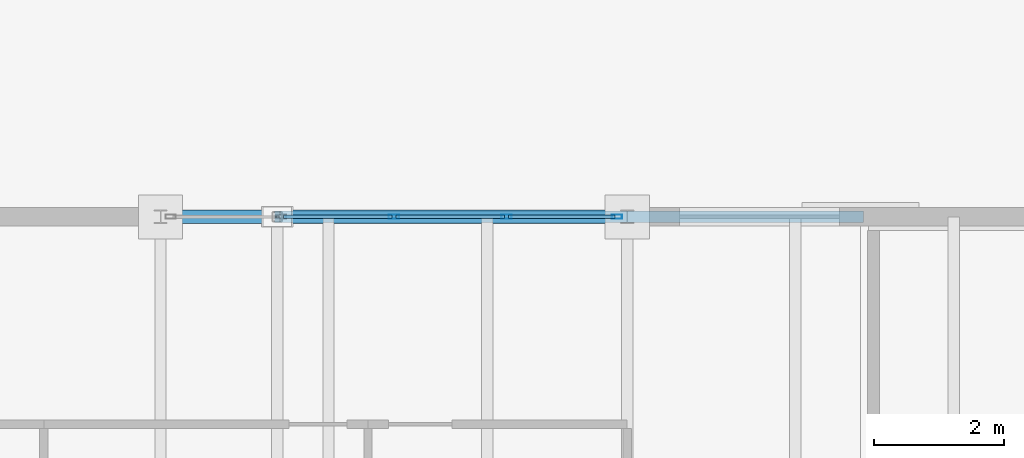
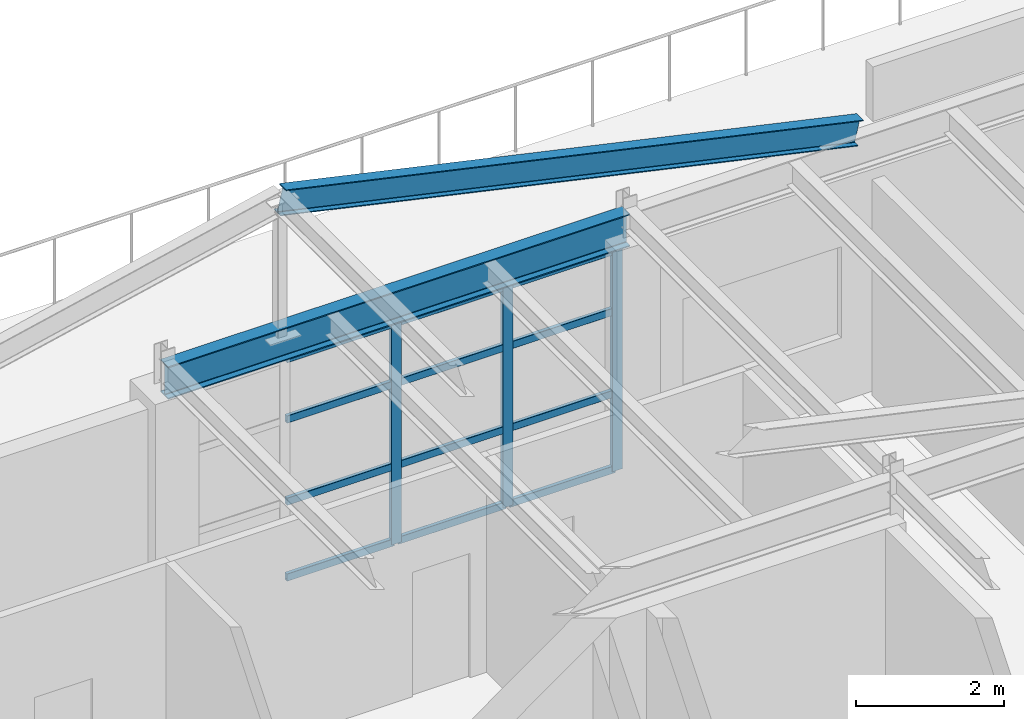
# One storey, part 31 of 43: 15 members, 2 beams, 1 element without a shape of its own.
"""IFC4 building model written with IfcOpenShell, lengths in metres."""

import ifcopenshell
import ifcopenshell.guid

model = None  # the IFC model being written
_history = None  # IfcOwnerHistory: only IFC2X3 demands one
_inside = {}  # id of a spatial element -> (the spatial element, [elements in it])
_under = {}  # id of a project, library or spatial element -> (it, [spatial elements below it])
_declared = {}  # id of a project -> (the project, [libraries it declares])
_typed = {}  # id of a type object -> (the type object, [elements of that type])
_made_of = {}  # id of a material, layer set ... -> (it, [elements and type objects made of it])


def new_model(schema):
    """Start an empty IFC model of exactly this schema.

    Asked for "IFC4X3", IfcOpenShell would pick the latest addendum, in which some entities
    have other attributes; the version numbers below select the first issue.
    IFC2X3 requires an IfcOwnerHistory on every rooted entity: one is made here for all.
    """
    global model, _history
    if schema == "IFC4X3":
        model = ifcopenshell.file(schema_version=(4, 3, 0, 0))
    else:
        model = ifcopenshell.file(schema=schema)
    _inside.clear()
    _under.clear()
    _declared.clear()
    _typed.clear()
    _made_of.clear()
    _history = None
    if model.schema == "IFC2X3":
        org = make("IfcOrganization", Name="unknown")
        user = make(
            "IfcPersonAndOrganization",
            ThePerson=make("IfcPerson", FamilyName="unknown"),
            TheOrganization=org,
        )
        app = make(
            "IfcApplication",
            ApplicationDeveloper=org,
            Version="unknown",
            ApplicationFullName="unknown",
            ApplicationIdentifier="unknown",
        )
        _history = make(
            "IfcOwnerHistory",
            OwningUser=user,
            OwningApplication=app,
            ChangeAction="ADDED",
            CreationDate=0,
        )
    return model


def make(cls, **values):
    """One entity of the class cls with the attributes given. An attribute that is None is left unset."""
    return model.create_entity(
        cls, **{name: value for name, value in values.items() if value is not None}
    )


def rooted(cls, **values):
    """An entity with a GlobalId (a new one), such as an element, a storey or a relation."""
    return make(cls, GlobalId=ifcopenshell.guid.new(), OwnerHistory=_history, **values)


def si_unit(unit_type, name, prefix=None):
    """IfcSIUnit, for example si_unit("LENGTHUNIT", "METRE", prefix="MILLI")."""
    return make("IfcSIUnit", UnitType=unit_type, Prefix=prefix, Name=name)


def assignment(units):
    """IfcUnitAssignment: the units of a project."""
    return None if units is None else make("IfcUnitAssignment", Units=units)


def point(xyz):
    """IfcCartesianPoint."""
    return None if xyz is None else make("IfcCartesianPoint", Coordinates=xyz)


def direction(xyz):
    """IfcDirection."""
    return None if xyz is None else make("IfcDirection", DirectionRatios=xyz)


def frame(location, z_axis=None, x_axis=None):
    """IfcAxis2Placement3D, a coordinate frame: its origin and axes. An axis left out is left unset."""
    return make(
        "IfcAxis2Placement3D",
        Location=point(location),
        Axis=direction(z_axis),
        RefDirection=direction(x_axis),
    )


def frame_2d(location, x_axis=None):
    """IfcAxis2Placement2D, a coordinate frame in the plane: its origin and x axis."""
    return make(
        "IfcAxis2Placement2D", Location=point(location), RefDirection=direction(x_axis)
    )


def origin():
    """The frame at (0, 0, 0) with its axes left unset."""
    return frame((0.0, 0.0, 0.0))


def origin_2d():
    """The frame at (0, 0) in the plane with its x axis left unset."""
    return frame_2d((0.0, 0.0))


def place(relative_to, where):
    """IfcLocalPlacement: puts the frame where relative to a parent placement (None: the world)."""
    return make(
        "IfcLocalPlacement", PlacementRelTo=relative_to, RelativePlacement=where
    )


def context(
    kind, dimensions, precision=None, world=None, true_north=None, identifier=None
):
    """IfcGeometricRepresentationContext, for example the 3D "Model" context."""
    return make(
        "IfcGeometricRepresentationContext",
        ContextIdentifier=identifier,
        ContextType=kind,
        CoordinateSpaceDimension=dimensions,
        Precision=precision,
        WorldCoordinateSystem=world,
        TrueNorth=true_north,
    )


def subcontext(parent, identifier, kind, view, scale=None):
    """IfcGeometricRepresentationSubContext, for example "Body" below "Model"."""
    return make(
        "IfcGeometricRepresentationSubContext",
        ContextIdentifier=identifier,
        ContextType=kind,
        ParentContext=parent,
        TargetScale=scale,
        TargetView=view,
    )


def project(units=None, contexts=None):
    """IfcProject with its units and contexts."""
    return rooted(
        "IfcProject",
        Name="project",
        RepresentationContexts=contexts,
        UnitsInContext=assignment(units),
    )


def spatial(cls, under=None, at=None, **own):
    """A site, building, storey or space (cls), placed at a placement, below another one or the project."""
    s = rooted(cls, ObjectPlacement=at, **own)
    if under is not None:
        _under.setdefault(under.id(), (under, []))[1].append(s)
    return s


def profile(cls, at=None, kind="AREA", **sizes):
    """A parametric profile (cls). Its sizes go by their IFC names, for example OverallWidth=200.0."""
    return make(cls, ProfileType=kind, Position=at, **sizes)


def hollow_rectangle(**sizes):
    """IfcRectangleHollowProfileDef."""
    return profile("IfcRectangleHollowProfileDef", **sizes)


def i_section(**sizes):
    """IfcIShapeProfileDef."""
    return profile("IfcIShapeProfileDef", **sizes)


def extrude(swept, where, along, depth):
    """IfcExtrudedAreaSolid: the profile swept, set in the frame where, extruded along a direction by depth."""
    return make(
        "IfcExtrudedAreaSolid",
        SweptArea=swept,
        Position=where,
        ExtrudedDirection=direction(along),
        Depth=depth,
    )


def shape(context_of_items, identifier, shape_type, items):
    """IfcShapeRepresentation: the items that make up one representation, for example the "Body"."""
    return make(
        "IfcShapeRepresentation",
        ContextOfItems=context_of_items,
        RepresentationIdentifier=identifier,
        RepresentationType=shape_type,
        Items=items,
    )


def material(Name=None, Category=None):
    """IfcMaterial."""
    return make("IfcMaterial", Name=Name, Category=Category)


def layer(
    of_material, thickness, ventilated=None, Name=None, Category=None, Priority=None
):
    """IfcMaterialLayer: one layer of a wall or slab, of a material (None: an air gap)."""
    return make(
        "IfcMaterialLayer",
        Material=of_material,
        LayerThickness=thickness,
        IsVentilated=ventilated,
        Name=Name,
        Category=Category,
        Priority=Priority,
    )


def layer_set(layers, Name=None):
    """IfcMaterialLayerSet."""
    return make("IfcMaterialLayerSet", MaterialLayers=layers, LayerSetName=Name)


def material_profile(
    of_material, cross_section, Name=None, Category=None, Priority=None
):
    """IfcMaterialProfile: a cross section and its material."""
    return make(
        "IfcMaterialProfile",
        Name=Name,
        Material=of_material,
        Profile=cross_section,
        Priority=Priority,
        Category=Category,
    )


def profile_set(profiles, Name=None, composite=None):
    """IfcMaterialProfileSet."""
    return make(
        "IfcMaterialProfileSet",
        Name=Name,
        MaterialProfiles=profiles,
        CompositeProfile=composite,
    )


def made_of(thing, what):
    """Note that an element or type object is made of a material, layer set ...; save() writes the relation."""
    if what is not None:
        _made_of.setdefault(what.id(), (what, []))[1].append(thing)
    return thing


def type_object(cls, material=None, **own):
    """A type object (cls), such as IfcWallType, which elements share."""
    return made_of(rooted(cls, **own), material)


def element(
    cls,
    number,
    at=None,
    inside=None,
    cuts=None,
    type_object=None,
    material=None,
    context=None,
    identifier="Body",
    shape_type=None,
    held_by="IfcProductDefinitionShape",
    body=None,
    shapes=None,
    **own,
):
    """One element of the class cls, such as IfcWall. Its Tag is "e" and its number.

    at: its placement. inside: the storey or other place that contains it. cuts: it is an
    opening in that element (IfcRelVoidsElement). A single representation is given by context,
    identifier, shape_type and body (its items); several are given by shapes. held_by: the class
    of the entity that holds the representations. save() writes the other relations.
    """
    e = rooted(cls, Tag="e%d" % number, ObjectPlacement=at, **own)
    if body is not None:
        shapes = [shape(context, identifier, shape_type, body)]
    if shapes is not None:
        e.Representation = make(held_by, Representations=shapes)
    if inside is not None:
        _inside.setdefault(inside.id(), (inside, []))[1].append(e)
    if cuts is not None:
        rooted(
            "IfcRelVoidsElement", RelatingBuildingElement=cuts, RelatedOpeningElement=e
        )
    if type_object is not None:
        _typed.setdefault(type_object.id(), (type_object, []))[1].append(e)
    return made_of(e, material)


def aggregate(whole, parts):
    """IfcRelAggregates: a whole, such as a stair, and the parts it consists of."""
    return rooted("IfcRelAggregates", RelatingObject=whole, RelatedObjects=parts)


def save(model, path):
    """Write the relations noted so far, then the file.

    IfcRelAggregates (storeys below a building ...), IfcRelContainedInSpatialStructure (elements
    in a storey), IfcRelDefinesByType, IfcRelAssociatesMaterial and IfcRelDeclares: one each for
    every whole, place, type object, material and project.
    """
    for whole, parts in _under.values():
        aggregate(whole, parts)
    for where, things in _inside.values():
        rooted(
            "IfcRelContainedInSpatialStructure",
            RelatedElements=things,
            RelatingStructure=where,
        )
    for kind, things in _typed.values():
        rooted("IfcRelDefinesByType", RelatedObjects=things, RelatingType=kind)
    for what, things in _made_of.values():
        rooted("IfcRelAssociatesMaterial", RelatedObjects=things, RelatingMaterial=what)
    for by, libraries in _declared.values():
        rooted("IfcRelDeclares", RelatingContext=by, RelatedDefinitions=libraries)
    model.write(path)


model = new_model("IFC4")

# Units and contexts
model_context = context("Model", 3, precision=1e-05, world=origin(), true_north=direction((0.0, 1.0)))
body_context = subcontext(model_context, "Body", "Model", "MODEL_VIEW")
ifc_project = project(units=[si_unit("LENGTHUNIT", "METRE"), si_unit("AREAUNIT", "SQUARE_METRE"), si_unit("VOLUMEUNIT", "CUBIC_METRE"), si_unit("PLANEANGLEUNIT", "RADIAN"), si_unit("MASSUNIT", "GRAM", prefix="KILO")], contexts=[model_context])

# Site, building, storey
site_placement = place(None, origin())
site = spatial("IfcSite", under=ifc_project, at=site_placement, CompositionType="ELEMENT")
building_placement = place(site_placement, origin())
building = spatial("IfcBuilding", under=site, at=building_placement, Name="Kemerveld Promenade Tramway Depot", CompositionType="ELEMENT")
storey_placement = place(building_placement, frame((0.0, 0.0, 18.89990234375)))
storey = spatial("IfcBuildingStorey", under=building, at=storey_placement, Name="L04", CompositionType="ELEMENT", Elevation=18.89990234375)

# Beams
ifc_material_1 = material(Name="Steel S355", Category="steel")
ifc_material_profile_1 = material_profile(ifc_material_1, i_section(OverallWidth=0.2099609375, OverallDepth=0.53662109375, WebThickness=0.0107421875, FlangeThickness=0.017333984375, FilletRadius=0.0126953125, at=origin_2d()), Name="533x210x101 UB")
ifc_profile_set_1 = profile_set([ifc_material_profile_1], Name="Steel S355")
beam_type_1 = type_object("IfcBeamType", Name="BM-G05", PredefinedType="BEAM", material=ifc_profile_set_1)
beam_1_placement = place(storey_placement, frame((7.199951171875, 57.60009765625, 3.94677734375), z_axis=(1.0, 0.0, 0.0), x_axis=(0.0, 1.0, 0.0)))
element("IfcBeam", 1, at=beam_1_placement, inside=storey, type_object=beam_type_1, Name="BMX-L04-02-03-J", PredefinedType="BEAM", context=body_context, shape_type="SweptSolid", body=[
    extrude(i_section(OverallWidth=0.2099609375, OverallDepth=0.53662109375, WebThickness=0.0107421875, FlangeThickness=0.017333984375, FilletRadius=0.0126953125, at=origin_2d()), origin(), (0.0, 0.0, 1.0), 7.199951171875),
])
ifc_material_profile_2 = material_profile(ifc_material_1, i_section(OverallWidth=0.1787109375, OverallDepth=0.409423828125, WebThickness=0.0087890625, FlangeThickness=0.014404296875, FilletRadius=0.01025390625, at=origin_2d()), Name="406x178x67 UB")
ifc_profile_set_2 = profile_set([ifc_material_profile_2], Name="Steel S355")
beam_type_2 = type_object("IfcBeamType", Name="BM-G07", PredefinedType="BEAM", material=ifc_profile_set_2)
beam_2_placement = place(storey_placement, frame((9.0, 57.60009765625, 6.275390625), z_axis=(0.976187060184, 0.0, -0.216930457819), x_axis=(0.0, 1.0, 0.0)))
element("IfcBeam", 2, at=beam_2_placement, inside=storey, type_object=beam_type_2, Name="RAF-V5-J-E", PredefinedType="BEAM", context=body_context, shape_type="SweptSolid", body=[
    extrude(i_section(OverallWidth=0.1787109375, OverallDepth=0.409423828125, WebThickness=0.0087890625, FlangeThickness=0.014404296875, FilletRadius=0.01025390625, at=origin_2d()), origin(), (0.0, 0.0, 1.0), 9.219482421875),
])

# Curtain wall, members
ifc_material_2 = material(Name="Bronze anodised aluminium and solar glass", Category="aluminium")
ifc_layer = layer(ifc_material_2, 0.159912109375)
ifc_layer_set = layer_set([ifc_layer], Name="CW-SYS-05")
curtain_wall_type = type_object("IfcCurtainWallType", Name="CW-SYS-05", PredefinedType="USERDEFINED", material=ifc_layer_set)
curtain_wall_placement = place(storey_placement, origin())
curtain_wall = element("IfcCurtainWall", 3, at=curtain_wall_placement, inside=storey, type_object=curtain_wall_type, Name="CW-L04-V5N-02", ObjectType="GLAZED_CURTAIN_WALL", PredefinedType="USERDEFINED")
ifc_material_3 = material(Name="Bronze anodised aluminium", Category="aluminium")
ifc_material_profile_3 = material_profile(ifc_material_3, hollow_rectangle(XDim=0.06494140625, YDim=0.159912109375, WallThickness=0.00390625, InnerFilletRadius=0.001953125, OuterFilletRadius=0.00390625, at=origin_2d()), Name="CW-MUL-160x65")
ifc_profile_set_3 = profile_set([ifc_material_profile_3], Name="Bronze anodised aluminium")
member_type_1 = type_object("IfcMemberType", Name="CW-MUL-A", PredefinedType="MULLION", material=ifc_profile_set_3)
member_1_placement = place(storey_placement, frame((10.800048828125, 57.60009765625, 0.0), z_axis=(0.0, 0.0, 1.0), x_axis=(0.0, 1.0, 0.0)))
member_1 = element("IfcMember", 4, at=member_1_placement, type_object=member_type_1, Name="CW05 mullion 3", PredefinedType="MULLION", context=body_context, shape_type="SweptSolid", body=[
    extrude(hollow_rectangle(XDim=0.06494140625, YDim=0.159912109375, WallThickness=0.00390625, InnerFilletRadius=0.001953125, OuterFilletRadius=0.00390625, at=origin_2d()), origin(), (0.0, 0.0, 1.0), 3.658203125),
])
member_2_placement = place(storey_placement, frame((12.53759765625, 57.60009765625, 0.0), z_axis=(0.0, 0.0, 1.0), x_axis=(0.0, 1.0, 0.0)))
member_2 = element("IfcMember", 5, at=member_2_placement, type_object=member_type_1, Name="CW05 mullion 4", PredefinedType="MULLION", context=body_context, shape_type="SweptSolid", body=[
    extrude(hollow_rectangle(XDim=0.06494140625, YDim=0.159912109375, WallThickness=0.00390625, InnerFilletRadius=0.001953125, OuterFilletRadius=0.00390625, at=origin_2d()), origin(), (0.0, 0.0, 1.0), 3.658203125),
])
member_3_placement = place(storey_placement, frame((14.24267578125, 57.60009765625, 0.0), z_axis=(0.0, 0.0, 1.0), x_axis=(0.0, 1.0, 0.0)))
member_3 = element("IfcMember", 6, at=member_3_placement, type_object=member_type_1, Name="CW05 mullion 5", PredefinedType="MULLION", context=body_context, shape_type="SweptSolid", body=[
    extrude(hollow_rectangle(XDim=0.06494140625, YDim=0.159912109375, WallThickness=0.00390625, InnerFilletRadius=0.001953125, OuterFilletRadius=0.00390625, at=origin_2d()), origin(), (0.0, 0.0, 1.0), 3.658203125),
])
ifc_material_profile_4 = material_profile(ifc_material_3, hollow_rectangle(XDim=0.06005859375, YDim=0.1201171875, WallThickness=0.00390625, InnerFilletRadius=0.001953125, OuterFilletRadius=0.00390625, at=origin_2d()), Name="CW-TRN-120x60")
ifc_profile_set_4 = profile_set([ifc_material_profile_4], Name="Bronze anodised aluminium")
member_type_2 = type_object("IfcMemberType", Name="CW-TRN-A", PredefinedType="USERDEFINED", material=ifc_profile_set_4)
member_4_placement = place(storey_placement, frame((9.094970703125, 57.60009765625, 0.030029296875), z_axis=(1.0, 0.0, 0.0), x_axis=(0.0, 1.0, 0.0)))
member_4 = element("IfcMember", 7, at=member_4_placement, type_object=member_type_2, Name="CW05 transom 2.1", ObjectType="TRANSOM", PredefinedType="USERDEFINED", context=body_context, shape_type="SweptSolid", body=[
    extrude(hollow_rectangle(XDim=0.06005859375, YDim=0.1201171875, WallThickness=0.00390625, InnerFilletRadius=0.001953125, OuterFilletRadius=0.00390625, at=origin_2d()), origin(), (0.0, 0.0, 1.0), 1.672607421875),
])
member_5_placement = place(storey_placement, frame((9.094970703125, 57.60009765625, 1.280029296875), z_axis=(1.0, 0.0, 0.0), x_axis=(0.0, 1.0, 0.0)))
member_5 = element("IfcMember", 8, at=member_5_placement, type_object=member_type_2, Name="CW05 transom 2.2", ObjectType="TRANSOM", PredefinedType="USERDEFINED", context=body_context, shape_type="SweptSolid", body=[
    extrude(hollow_rectangle(XDim=0.06005859375, YDim=0.1201171875, WallThickness=0.00390625, InnerFilletRadius=0.001953125, OuterFilletRadius=0.00390625, at=origin_2d()), origin(), (0.0, 0.0, 1.0), 1.672607421875),
])
member_6_placement = place(storey_placement, frame((9.094970703125, 57.60009765625, 2.634033203125), z_axis=(1.0, 0.0, 0.0), x_axis=(0.0, 1.0, 0.0)))
member_6 = element("IfcMember", 9, at=member_6_placement, type_object=member_type_2, Name="CW05 transom 2.3", ObjectType="TRANSOM", PredefinedType="USERDEFINED", context=body_context, shape_type="SweptSolid", body=[
    extrude(hollow_rectangle(XDim=0.06005859375, YDim=0.1201171875, WallThickness=0.00390625, InnerFilletRadius=0.001953125, OuterFilletRadius=0.00390625, at=origin_2d()), origin(), (0.0, 0.0, 1.0), 1.672607421875),
])
member_7_placement = place(storey_placement, frame((9.094970703125, 57.60009765625, 3.62841796875), z_axis=(1.0, 0.0, 0.0), x_axis=(0.0, 1.0, 0.0)))
member_7 = element("IfcMember", 10, at=member_7_placement, type_object=member_type_2, Name="CW05 transom 2.4", ObjectType="TRANSOM", PredefinedType="USERDEFINED", context=body_context, shape_type="SweptSolid", body=[
    extrude(hollow_rectangle(XDim=0.06005859375, YDim=0.1201171875, WallThickness=0.00390625, InnerFilletRadius=0.001953125, OuterFilletRadius=0.00390625, at=origin_2d()), origin(), (0.0, 0.0, 1.0), 1.672607421875),
])
member_8_placement = place(storey_placement, frame((10.83251953125, 57.60009765625, 0.030029296875), z_axis=(1.0, 0.0, 0.0), x_axis=(0.0, 1.0, 0.0)))
member_8 = element("IfcMember", 11, at=member_8_placement, type_object=member_type_2, Name="CW05 transom 3.1", ObjectType="TRANSOM", PredefinedType="USERDEFINED", context=body_context, shape_type="SweptSolid", body=[
    extrude(hollow_rectangle(XDim=0.06005859375, YDim=0.1201171875, WallThickness=0.00390625, InnerFilletRadius=0.001953125, OuterFilletRadius=0.00390625, at=origin_2d()), origin(), (0.0, 0.0, 1.0), 1.672607421875),
])
member_9_placement = place(storey_placement, frame((10.83251953125, 57.60009765625, 1.280029296875), z_axis=(1.0, 0.0, 0.0), x_axis=(0.0, 1.0, 0.0)))
member_9 = element("IfcMember", 12, at=member_9_placement, type_object=member_type_2, Name="CW05 transom 3.2", ObjectType="TRANSOM", PredefinedType="USERDEFINED", context=body_context, shape_type="SweptSolid", body=[
    extrude(hollow_rectangle(XDim=0.06005859375, YDim=0.1201171875, WallThickness=0.00390625, InnerFilletRadius=0.001953125, OuterFilletRadius=0.00390625, at=origin_2d()), origin(), (0.0, 0.0, 1.0), 1.672607421875),
])
member_10_placement = place(storey_placement, frame((10.83251953125, 57.60009765625, 2.634033203125), z_axis=(1.0, 0.0, 0.0), x_axis=(0.0, 1.0, 0.0)))
member_10 = element("IfcMember", 13, at=member_10_placement, type_object=member_type_2, Name="CW05 transom 3.3", ObjectType="TRANSOM", PredefinedType="USERDEFINED", context=body_context, shape_type="SweptSolid", body=[
    extrude(hollow_rectangle(XDim=0.06005859375, YDim=0.1201171875, WallThickness=0.00390625, InnerFilletRadius=0.001953125, OuterFilletRadius=0.00390625, at=origin_2d()), origin(), (0.0, 0.0, 1.0), 1.672607421875),
])
member_11_placement = place(storey_placement, frame((10.83251953125, 57.60009765625, 3.62841796875), z_axis=(1.0, 0.0, 0.0), x_axis=(0.0, 1.0, 0.0)))
member_11 = element("IfcMember", 14, at=member_11_placement, type_object=member_type_2, Name="CW05 transom 3.4", ObjectType="TRANSOM", PredefinedType="USERDEFINED", context=body_context, shape_type="SweptSolid", body=[
    extrude(hollow_rectangle(XDim=0.06005859375, YDim=0.1201171875, WallThickness=0.00390625, InnerFilletRadius=0.001953125, OuterFilletRadius=0.00390625, at=origin_2d()), origin(), (0.0, 0.0, 1.0), 1.672607421875),
])
member_12_placement = place(storey_placement, frame((12.570068359375, 57.60009765625, 0.030029296875), z_axis=(1.0, 0.0, 0.0), x_axis=(0.0, 1.0, 0.0)))
member_12 = element("IfcMember", 15, at=member_12_placement, type_object=member_type_2, Name="CW05 transom 4.1", ObjectType="TRANSOM", PredefinedType="USERDEFINED", context=body_context, shape_type="SweptSolid", body=[
    extrude(hollow_rectangle(XDim=0.06005859375, YDim=0.1201171875, WallThickness=0.00390625, InnerFilletRadius=0.001953125, OuterFilletRadius=0.00390625, at=origin_2d()), origin(), (0.0, 0.0, 1.0), 1.64013671875),
])
member_13_placement = place(storey_placement, frame((12.570068359375, 57.60009765625, 1.280029296875), z_axis=(1.0, 0.0, 0.0), x_axis=(0.0, 1.0, 0.0)))
member_13 = element("IfcMember", 16, at=member_13_placement, type_object=member_type_2, Name="CW05 transom 4.2", ObjectType="TRANSOM", PredefinedType="USERDEFINED", context=body_context, shape_type="SweptSolid", body=[
    extrude(hollow_rectangle(XDim=0.06005859375, YDim=0.1201171875, WallThickness=0.00390625, InnerFilletRadius=0.001953125, OuterFilletRadius=0.00390625, at=origin_2d()), origin(), (0.0, 0.0, 1.0), 1.64013671875),
])
member_14_placement = place(storey_placement, frame((12.570068359375, 57.60009765625, 2.634033203125), z_axis=(1.0, 0.0, 0.0), x_axis=(0.0, 1.0, 0.0)))
member_14 = element("IfcMember", 17, at=member_14_placement, type_object=member_type_2, Name="CW05 transom 4.3", ObjectType="TRANSOM", PredefinedType="USERDEFINED", context=body_context, shape_type="SweptSolid", body=[
    extrude(hollow_rectangle(XDim=0.06005859375, YDim=0.1201171875, WallThickness=0.00390625, InnerFilletRadius=0.001953125, OuterFilletRadius=0.00390625, at=origin_2d()), origin(), (0.0, 0.0, 1.0), 1.64013671875),
])
member_15_placement = place(storey_placement, frame((12.570068359375, 57.60009765625, 3.62841796875), z_axis=(1.0, 0.0, 0.0), x_axis=(0.0, 1.0, 0.0)))
member_15 = element("IfcMember", 18, at=member_15_placement, type_object=member_type_2, Name="CW05 transom 4.4", ObjectType="TRANSOM", PredefinedType="USERDEFINED", context=body_context, shape_type="SweptSolid", body=[
    extrude(hollow_rectangle(XDim=0.06005859375, YDim=0.1201171875, WallThickness=0.00390625, InnerFilletRadius=0.001953125, OuterFilletRadius=0.00390625, at=origin_2d()), origin(), (0.0, 0.0, 1.0), 1.64013671875),
])
aggregate(curtain_wall, [member_1, member_2, member_3, member_4, member_5, member_6, member_7, member_8, member_9, member_10, member_11, member_12, member_13, member_14, member_15])

save(model, "model.ifc")
